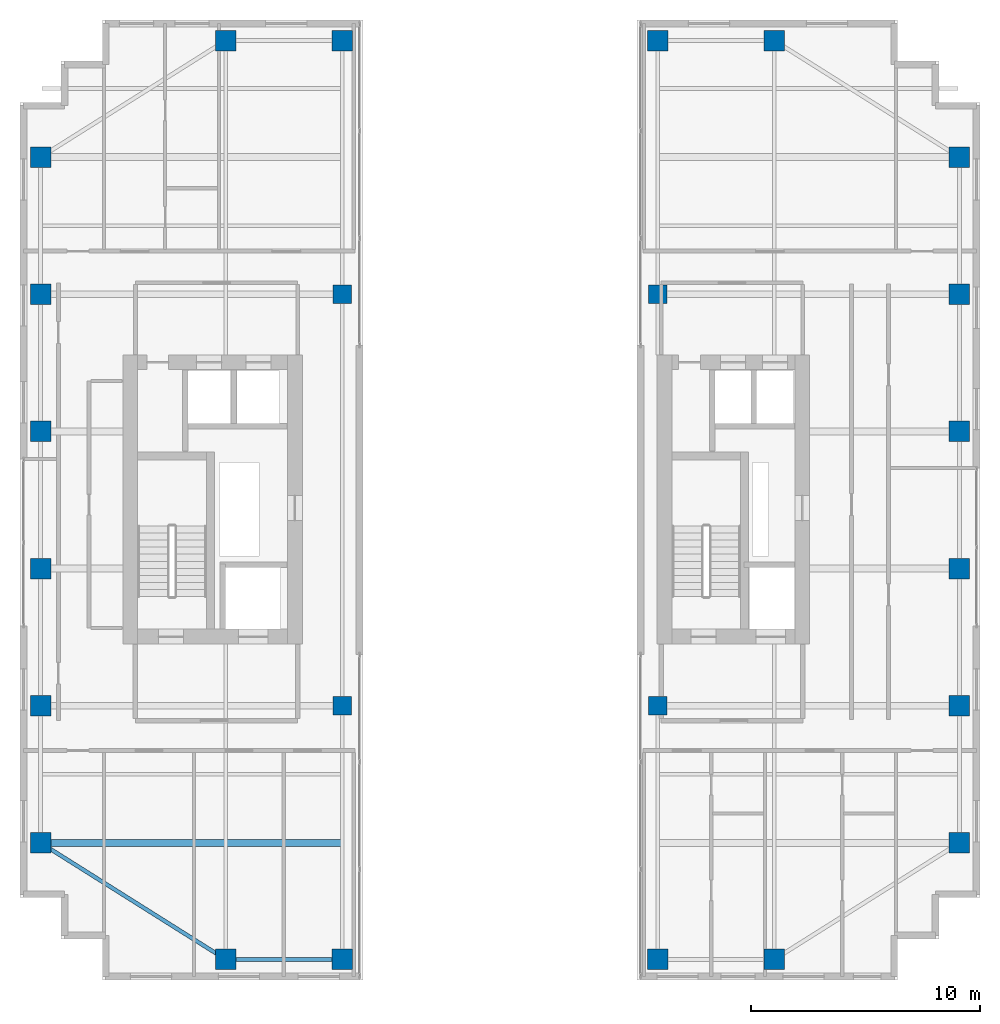
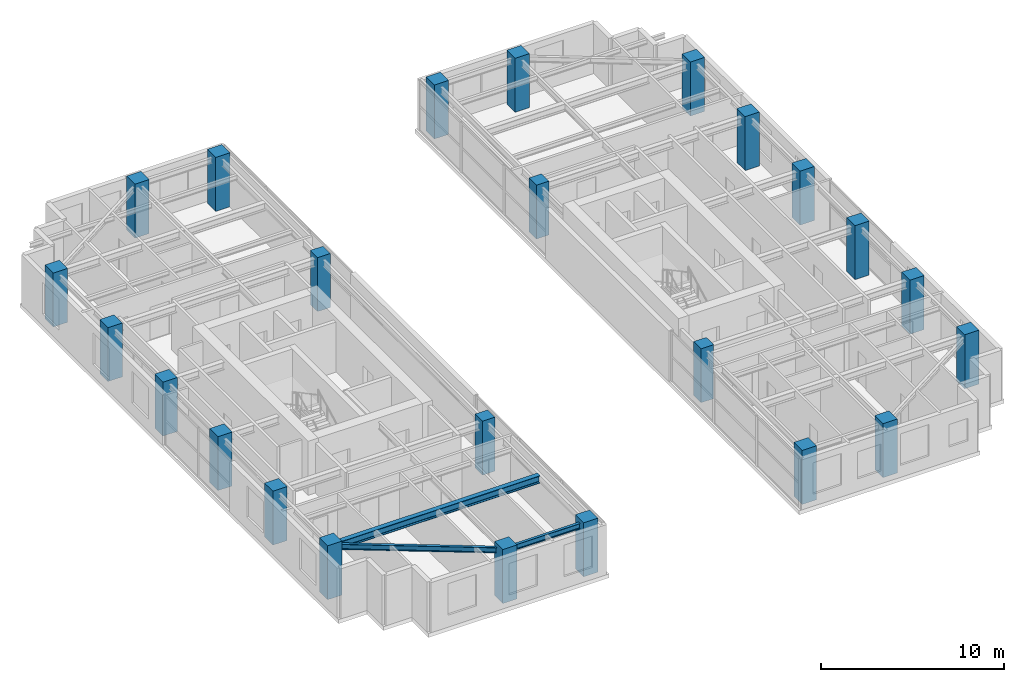
# One storey, part 1 of 20: 24 columns, 3 beams.
"""IFC4 building model written with IfcOpenShell, lengths in metres."""

from ifc_helpers import new_model, si_unit, direction, frame, origin, origin_2d, place, context, subcontext, project, spatial, rectangle, i_section, extrude, source, transform, mapped, material, material_profile, profile_set, type_object, element, save


model = new_model("IFC4")

# Units and contexts
model_context = context("Model", 3, precision=1e-05, world=origin(), true_north=direction((0.0, 1.0)))
body_context = subcontext(model_context, "Body", "Model", "MODEL_VIEW")
ifc_project = project(units=[si_unit("LENGTHUNIT", "METRE"), si_unit("AREAUNIT", "SQUARE_METRE"), si_unit("VOLUMEUNIT", "CUBIC_METRE"), si_unit("PLANEANGLEUNIT", "RADIAN"), si_unit("MASSUNIT", "GRAM", prefix="KILO")], contexts=[model_context])

# Site, building, storey
site_placement = place(None, origin())
site = spatial("IfcSite", under=ifc_project, at=site_placement, CompositionType="ELEMENT")
building_placement = place(site_placement, origin())
building = spatial("IfcBuilding", under=site, at=building_placement, Name="Khoralis Quay Care Tower", CompositionType="ELEMENT")
storey_placement = place(building_placement, frame((0.0, 0.0, 198.89990234375)))
storey = spatial("IfcBuildingStorey", under=building, at=storey_placement, Name="L52", CompositionType="ELEMENT", Elevation=198.89990234375)

# Columns
ifc_material_1 = material(Name="Concrete C65/80", Category="concrete")
ifc_material_profile_1 = material_profile(ifc_material_1, rectangle(XDim=0.89990234375, YDim=0.89990234375, at=origin_2d()), Name="Concrete C65/80")
ifc_profile_set_1 = profile_set([ifc_material_profile_1], Name="Concrete C65/80")
column_type_1 = type_object("IfcColumnType", Name="COL-C900", PredefinedType="COLUMN", material=ifc_profile_set_1)
shared_shape_1 = source(origin(), body_context, "Body", "SweptSolid", [
    extrude(rectangle(XDim=0.89990234375, YDim=0.89990234375, at=origin_2d()), origin(), (0.0, 0.0, 1.0), 3.60009765625),
])
for number, where, z_axis, x_axis, name in (
    (1, (12.0, 0.89990234375, 0.0), (0.0, 0.0, 1.0), (1.0, 0.0, 0.0), "COL-TWR-L52-01"),
    (2, (12.0, 41.10009765625, 0.0), (0.0, 0.0, 1.0), (1.0, 0.0, 0.0), "COL-TWR-L52-02"),
    (3, (17.10009765625, 0.89990234375, 0.0), (0.0, 0.0, 1.0), (1.0, 0.0, 0.0), "COL-TWR-L52-03"),
    (4, (17.10009765625, 41.10009765625, 0.0), (0.0, 0.0, 1.0), (1.0, 0.0, 0.0), "COL-TWR-L52-04"),
    (5, (30.89990234375, 0.89990234375, 0.0), (0.0, 0.0, 1.0), (1.0, 0.0, 0.0), "COL-TWR-L52-05"),
    (6, (30.89990234375, 41.10009765625, 0.0), (0.0, 0.0, 1.0), (1.0, 0.0, 0.0), "COL-TWR-L52-06"),
    (7, (36.0, 0.89990234375, 0.0), (0.0, 0.0, 1.0), (1.0, 0.0, 0.0), "COL-TWR-L52-07"),
    (8, (36.0, 41.10009765625, 0.0), (0.0, 0.0, 1.0), (1.0, 0.0, 0.0), "COL-TWR-L52-08"),
    (9, (3.89990234375, 6.0, 0.0), (0.0, 0.0, 1.0), (1.0, 0.0, 0.0), "COL-TWR-L52-09"),
    (10, (44.10009765625, 6.0, 0.0), (0.0, 0.0, 1.0), (1.0, 0.0, 0.0), "COL-TWR-L52-10"),
    (11, (3.89990234375, 12.0, 0.0), (0.0, 0.0, 1.0), (1.0, 0.0, 0.0), "COL-TWR-L52-11"),
    (12, (44.10009765625, 12.0, 0.0), (0.0, 0.0, 1.0), (1.0, 0.0, 0.0), "COL-TWR-L52-12"),
    (13, (3.89990234375, 18.0, 0.0), (0.0, 0.0, 1.0), (1.0, 0.0, 0.0), "COL-TWR-L52-13"),
    (14, (44.10009765625, 18.0, 0.0), (0.0, 0.0, 1.0), (1.0, 0.0, 0.0), "COL-TWR-L52-14"),
    (15, (3.89990234375, 24.0, 0.0), (0.0, 0.0, 1.0), (1.0, 0.0, 0.0), "COL-TWR-L52-15"),
    (16, (44.10009765625, 24.0, 0.0), (0.0, 0.0, 1.0), (1.0, 0.0, 0.0), "COL-TWR-L52-16"),
    (17, (3.89990234375, 30.0, 0.0), (0.0, 0.0, 1.0), (1.0, 0.0, 0.0), "COL-TWR-L52-17"),
    (18, (44.10009765625, 30.0, 0.0), (0.0, 0.0, 1.0), (1.0, 0.0, 0.0), "COL-TWR-L52-18"),
    (19, (3.89990234375, 36.0, 0.0), (0.0, 0.0, 1.0), (1.0, 0.0, 0.0), "COL-TWR-L52-19"),
    (20, (44.10009765625, 36.0, 0.0), (0.0, 0.0, 1.0), (1.0, 0.0, 0.0), "COL-TWR-L52-20"),
):
    element("IfcColumn", number, at=place(storey_placement, frame(where, z_axis=z_axis, x_axis=x_axis)), inside=storey, type_object=column_type_1, Name=name, PredefinedType="COLUMN", context=body_context, shape_type="MappedRepresentation", body=[
        mapped(shared_shape_1, transform((0.0, 0.0, 0.0), scale=1.0)),
    ])
ifc_material_2 = material(Name="Concrete C50/60", Category="concrete")
ifc_material_profile_2 = material_profile(ifc_material_2, rectangle(XDim=0.800048828125, YDim=0.800048828125, at=origin_2d()), Name="Concrete C50/60")
ifc_profile_set_2 = profile_set([ifc_material_profile_2], Name="Concrete C50/60")
column_type_2 = type_object("IfcColumnType", Name="COL-C800", PredefinedType="COLUMN", material=ifc_profile_set_2)
shared_shape_2 = source(origin(), body_context, "Body", "SweptSolid", [
    extrude(rectangle(XDim=0.800048828125, YDim=0.800048828125, at=origin_2d()), origin(), (0.0, 0.0, 1.0), 3.60009765625),
])
for number, where, z_axis, x_axis, name in (
    (21, (17.10009765625, 12.0, 0.0), (0.0, 0.0, 1.0), (1.0, 0.0, 0.0), "COL-TWR-L52-21"),
    (22, (17.10009765625, 30.0, 0.0), (0.0, 0.0, 1.0), (1.0, 0.0, 0.0), "COL-TWR-L52-22"),
    (23, (30.89990234375, 12.0, 0.0), (0.0, 0.0, 1.0), (1.0, 0.0, 0.0), "COL-TWR-L52-23"),
    (24, (30.89990234375, 30.0, 0.0), (0.0, 0.0, 1.0), (1.0, 0.0, 0.0), "COL-TWR-L52-24"),
):
    element("IfcColumn", number, at=place(storey_placement, frame(where, z_axis=z_axis, x_axis=x_axis)), inside=storey, type_object=column_type_2, Name=name, PredefinedType="COLUMN", context=body_context, shape_type="MappedRepresentation", body=[
        mapped(shared_shape_2, transform((0.0, 0.0, 0.0), scale=1.0)),
    ])

# Beams
ifc_material_3 = material(Name="Steel S355", Category="steel")
ifc_material_profile_3 = material_profile(ifc_material_3, i_section(OverallWidth=0.169921875, OverallDepth=0.360107421875, WebThickness=0.008056640625, FlangeThickness=0.0126953125, FilletRadius=0.01806640625, at=origin_2d()), Name="Steel S355")
ifc_profile_set_3 = profile_set([ifc_material_profile_3], Name="Steel S355")
beam_type_1 = type_object("IfcBeamType", Name="BM-IPE360", PredefinedType="SPANDREL", material=ifc_profile_set_3)
shared_shape_3 = source(origin(), body_context, "Body", "SweptSolid", [
    extrude(i_section(OverallWidth=0.169921875, OverallDepth=0.360107421875, WebThickness=0.008056640625, FlangeThickness=0.0126953125, FilletRadius=0.01806640625, at=origin_2d()), origin(), (0.0, 0.0, 1.0), 5.10009765625),
])
beam_1_placement = place(storey_placement, frame((12.0, 0.89990234375, 3.16015625), z_axis=(1.0, 0.0, 0.0), x_axis=(0.0, 1.0, 0.0)))
element("IfcBeam", 25, at=beam_1_placement, inside=storey, type_object=beam_type_1, Name="BM-TSP-L52-01", PredefinedType="SPANDREL", context=body_context, shape_type="MappedRepresentation", body=[
    mapped(shared_shape_3, transform((0.0, 0.0, 0.0), scale=1.0)),
])
shared_shape_4 = source(origin(), body_context, "Body", "SweptSolid", [
    extrude(i_section(OverallWidth=0.169921875, OverallDepth=0.360107421875, WebThickness=0.008056640625, FlangeThickness=0.0126953125, FilletRadius=0.01806640625, at=origin_2d()), origin(), (0.0, 0.0, 1.0), 9.572021484375),
])
beam_2_placement = place(storey_placement, frame((12.0, 0.89990234375, 3.16015625), z_axis=(-0.846231136359, 0.532815975602, 0.0), x_axis=(-0.532815975602, -0.846231136359, 0.0)))
element("IfcBeam", 26, at=beam_2_placement, inside=storey, type_object=beam_type_1, Name="BM-TCR-L52-15", PredefinedType="SPANDREL", context=body_context, shape_type="MappedRepresentation", body=[
    mapped(shared_shape_4, transform((0.0, 0.0, 0.0), scale=1.0)),
])
ifc_material_profile_4 = material_profile(ifc_material_3, i_section(OverallWidth=0.300048828125, OverallDepth=0.5, WebThickness=0.014404296875, FlangeThickness=0.028076171875, FilletRadius=0.027099609375, at=origin_2d()), Name="Steel S355")
ifc_profile_set_4 = profile_set([ifc_material_profile_4], Name="Steel S355")
beam_type_2 = type_object("IfcBeamType", Name="BM-HEB500", PredefinedType="BEAM", material=ifc_profile_set_4)
shared_shape_5 = source(origin(), body_context, "Body", "SweptSolid", [
    extrude(i_section(OverallWidth=0.300048828125, OverallDepth=0.5, WebThickness=0.014404296875, FlangeThickness=0.028076171875, FilletRadius=0.027099609375, at=origin_2d()), origin(), (0.0, 0.0, 1.0), 13.135009765625),
])
beam_3_placement = place(storey_placement, frame((3.89990234375, 6.0, 3.090087890625), z_axis=(1.0, 0.0, 0.0), x_axis=(0.0, 1.0, 0.0)))
element("IfcBeam", 27, at=beam_3_placement, inside=storey, type_object=beam_type_2, Name="BM-TGXW-L52-60", PredefinedType="BEAM", context=body_context, shape_type="MappedRepresentation", body=[
    mapped(shared_shape_5, transform((0.0, 0.0, 0.0), scale=1.0)),
])

save(model, "model.ifc")
